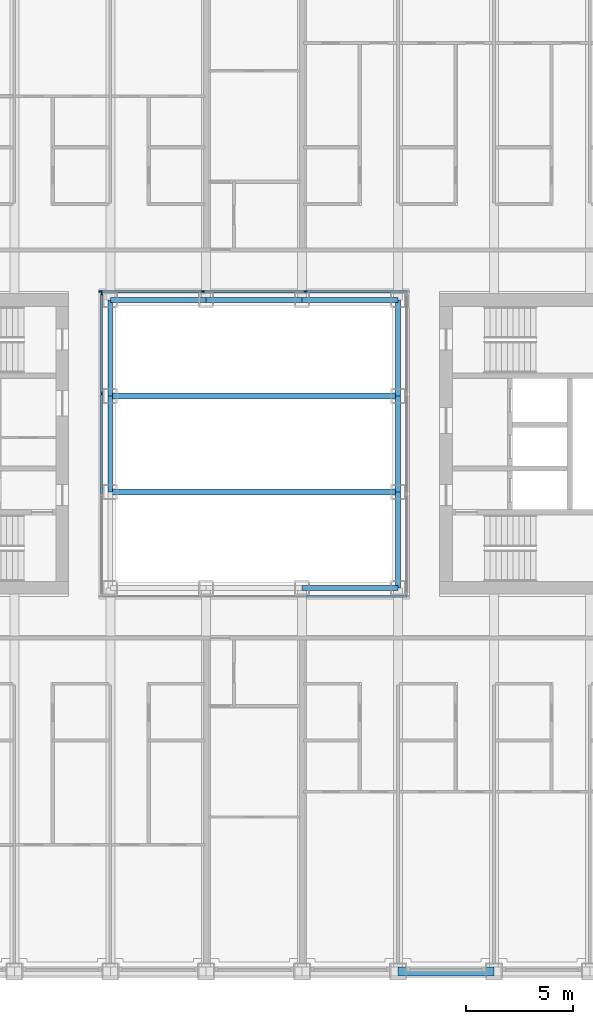
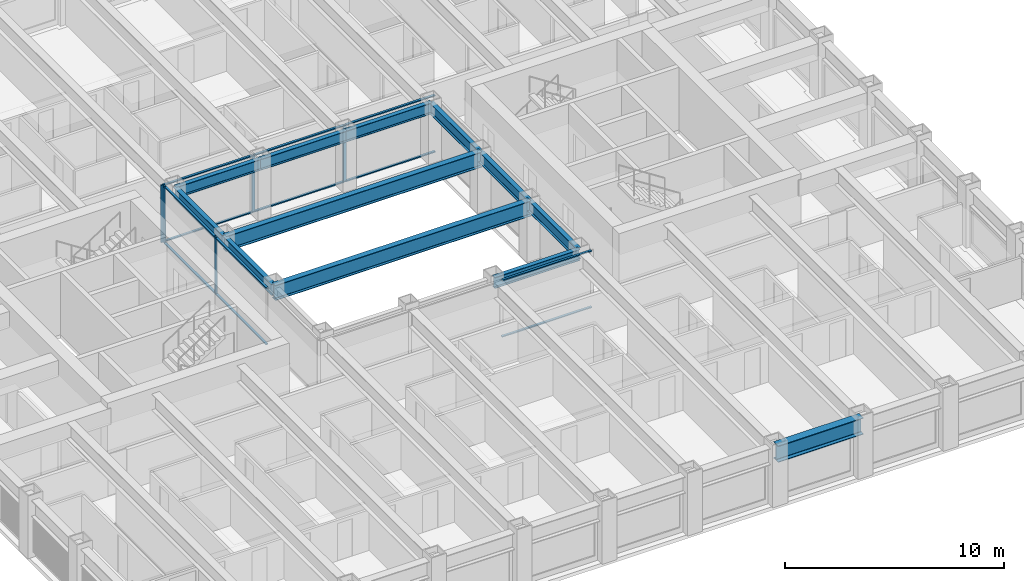
# One storey, part 4 of 21: 17 members, 12 beams, 3 elements without a shape of their own.
"""IFC4 building model written with IfcOpenShell, lengths in metres."""

from ifc_helpers import new_model, si_unit, direction, frame, origin, origin_2d, place, context, subcontext, project, spatial, rectangle, i_section, extrude, material, material_profile, profile_set, type_object, element, aggregate, save


model = new_model("IFC4")

# Units and contexts
model_context = context("Model", 3, precision=1e-05, world=origin(), true_north=direction((0.0, 1.0)))
body_context = subcontext(model_context, "Body", "Model", "MODEL_VIEW")
ifc_project = project(units=[si_unit("LENGTHUNIT", "METRE"), si_unit("AREAUNIT", "SQUARE_METRE"), si_unit("VOLUMEUNIT", "CUBIC_METRE"), si_unit("PLANEANGLEUNIT", "RADIAN"), si_unit("MASSUNIT", "GRAM", prefix="KILO")], contexts=[model_context])

# Site, building, storey
site_placement = place(None, origin())
site = spatial("IfcSite", under=ifc_project, at=site_placement, CompositionType="ELEMENT")
building_placement = place(site_placement, origin())
building = spatial("IfcBuilding", under=site, at=building_placement, Name="Msasa Ring Tower", CompositionType="ELEMENT")
storey_placement = place(building_placement, frame((0.0, 0.0, 103.5)))
storey = spatial("IfcBuildingStorey", under=building, at=storey_placement, Name="L27", CompositionType="ELEMENT", Elevation=103.5)

# Beams
ifc_material_1 = material(Name="Steel S355", Category="steel")
ifc_material_profile_1 = material_profile(ifc_material_1, i_section(OverallWidth=0.293701171875, OverallDepth=0.850830078125, WebThickness=0.01611328125, FlangeThickness=0.02685546875, FilletRadius=0.017822265625, at=origin_2d()), Name="UB 838x292x226")
ifc_profile_set_1 = profile_set([ifc_material_profile_1], Name="Steel S355")
beam_type_1 = type_object("IfcBeamType", Name="BG1 UB 838x292x226", PredefinedType="BEAM", material=ifc_profile_set_1)
for number, where, z_axis, x_axis, name in (
    (1, (-6.75, -2.25, 2.774658203125), (1.0, 0.0, 0.0), (0.0, 1.0, 0.0), "Well bridge girder -2.25 under L28"),
    (2, (-6.75, 2.25, 2.774658203125), (1.0, 0.0, 0.0), (0.0, 1.0, 0.0), "Well bridge girder +2.25 under L28"),
):
    element("IfcBeam", number, at=place(storey_placement, frame(where, z_axis=z_axis, x_axis=x_axis)), inside=storey, type_object=beam_type_1, Name=name, PredefinedType="BEAM", context=body_context, shape_type="SweptSolid", body=[
        extrude(i_section(OverallWidth=0.293701171875, OverallDepth=0.850830078125, WebThickness=0.01611328125, FlangeThickness=0.02685546875, FilletRadius=0.017822265625, at=origin_2d()), origin(), (0.0, 0.0, 1.0), 13.5),
    ])

# Curtain wall, members
ifc_material_2 = material(Name="Aluminium curtain wall with clear glass", Category="aluminium")
curtain_wall_type = type_object("IfcCurtainWallType", Name="CW-W LIGHT WELL CURTAIN WALL", PredefinedType="NOTDEFINED", material=ifc_material_2)
curtain_wall_1_placement = place(storey_placement, origin())
curtain_wall_1 = element("IfcCurtainWall", 3, at=curtain_wall_1_placement, inside=storey, type_object=curtain_wall_type, Name="Light well curtain wall N L27", PredefinedType="NOTDEFINED")
ifc_material_3 = material(Name="Aluminium mullion", Category="aluminium")
ifc_material_profile_2 = material_profile(ifc_material_3, rectangle(XDim=0.06005859375, YDim=0.159912109375, at=origin_2d()), Name="AL 60x160")
ifc_profile_set_2 = profile_set([ifc_material_profile_2], Name="Aluminium mullion")
member_type_1 = type_object("IfcMemberType", Name="CW-W MULLION 60x160", PredefinedType="MULLION", material=ifc_profile_set_2)
member_1_placement = place(storey_placement, frame((-7.199951171875, 7.14990234375, 0.0), z_axis=(0.0, 0.0, 1.0), x_axis=(0.0, 1.0, 0.0)))
member_1 = element("IfcMember", 4, at=member_1_placement, type_object=member_type_1, Name="CW-W mullion 1", PredefinedType="MULLION", context=body_context, shape_type="SweptSolid", body=[
    extrude(rectangle(XDim=0.06005859375, YDim=0.159912109375, at=origin_2d()), origin(), (0.0, 0.0, 1.0), 3.199951171875),
])
member_2_placement = place(storey_placement, frame((-2.409912109375, 7.14990234375, 0.0), z_axis=(0.0, 0.0, 1.0), x_axis=(0.0, 1.0, 0.0)))
member_2 = element("IfcMember", 5, at=member_2_placement, type_object=member_type_1, Name="CW-W mullion 2", PredefinedType="MULLION", context=body_context, shape_type="SweptSolid", body=[
    extrude(rectangle(XDim=0.06005859375, YDim=0.159912109375, at=origin_2d()), origin(), (0.0, 0.0, 1.0), 3.199951171875),
])
member_3_placement = place(storey_placement, frame((2.409912109375, 7.14990234375, 0.0), z_axis=(0.0, 0.0, 1.0), x_axis=(0.0, 1.0, 0.0)))
member_3 = element("IfcMember", 6, at=member_3_placement, type_object=member_type_1, Name="CW-W mullion 3", PredefinedType="MULLION", context=body_context, shape_type="SweptSolid", body=[
    extrude(rectangle(XDim=0.06005859375, YDim=0.159912109375, at=origin_2d()), origin(), (0.0, 0.0, 1.0), 3.199951171875),
])

curtain_wall_2_placement = place(storey_placement, origin())
curtain_wall_2 = element("IfcCurtainWall", 7, at=curtain_wall_2_placement, inside=storey, type_object=curtain_wall_type, Name="Light well curtain wall W L27", PredefinedType="NOTDEFINED")
member_4_placement = place(storey_placement, frame((-7.14990234375, 2.356689453125, 0.0), z_axis=(0.0, 0.0, 1.0), x_axis=(-1.0, 0.0, 0.0)))
member_4 = element("IfcMember", 8, at=member_4_placement, type_object=member_type_1, Name="CW-W mullion 3", PredefinedType="MULLION", context=body_context, shape_type="SweptSolid", body=[
    extrude(rectangle(XDim=0.06005859375, YDim=0.159912109375, at=origin_2d()), origin(), (0.0, 0.0, 1.0), 3.199951171875),
])
member_5_placement = place(storey_placement, frame((-7.14990234375, 7.0400390625, 0.0), z_axis=(0.0, 0.0, 1.0), x_axis=(-1.0, 0.0, 0.0)))
member_5 = element("IfcMember", 9, at=member_5_placement, type_object=member_type_1, Name="CW-W mullion 4", PredefinedType="MULLION", context=body_context, shape_type="SweptSolid", body=[
    extrude(rectangle(XDim=0.06005859375, YDim=0.159912109375, at=origin_2d()), origin(), (0.0, 0.0, 1.0), 3.199951171875),
])

# Member
ifc_material_4 = material(Name="Aluminium transom", Category="aluminium")
ifc_material_profile_3 = material_profile(ifc_material_4, rectangle(XDim=0.1201171875, YDim=0.06005859375, at=origin_2d()), Name="AL 60x120")
ifc_profile_set_3 = profile_set([ifc_material_profile_3], Name="Aluminium transom")
member_type_2 = type_object("IfcMemberType", Name="CW-W TRANSOM 60x120", PredefinedType="USERDEFINED", material=ifc_profile_set_3)
member_6_placement = place(storey_placement, frame((-7.169921875, 7.14990234375, 0.030029296875), z_axis=(1.0, 0.0, 0.0), x_axis=(0.0, 1.0, 0.0)))
member_6 = element("IfcMember", 10, at=member_6_placement, type_object=member_type_2, Name="CW-W transom 1.1", ObjectType="TRANSOM", PredefinedType="USERDEFINED", context=body_context, shape_type="SweptSolid", body=[
    extrude(rectangle(XDim=0.1201171875, YDim=0.06005859375, at=origin_2d()), origin(), (0.0, 0.0, 1.0), 4.72998046875),
])

member_7_placement = place(storey_placement, frame((-7.169921875, 7.14990234375, 3.169921875), z_axis=(1.0, 0.0, 0.0), x_axis=(0.0, 1.0, 0.0)))
member_7 = element("IfcMember", 11, at=member_7_placement, type_object=member_type_2, Name="CW-W transom 1.2", ObjectType="TRANSOM", PredefinedType="USERDEFINED", context=body_context, shape_type="SweptSolid", body=[
    extrude(rectangle(XDim=0.1201171875, YDim=0.06005859375, at=origin_2d()), origin(), (0.0, 0.0, 1.0), 4.72998046875),
])

member_8_placement = place(storey_placement, frame((-2.3798828125, 7.14990234375, 0.030029296875), z_axis=(1.0, 0.0, 0.0), x_axis=(0.0, 1.0, 0.0)))
member_8 = element("IfcMember", 12, at=member_8_placement, type_object=member_type_2, Name="CW-W transom 2.1", ObjectType="TRANSOM", PredefinedType="USERDEFINED", context=body_context, shape_type="SweptSolid", body=[
    extrude(rectangle(XDim=0.1201171875, YDim=0.06005859375, at=origin_2d()), origin(), (0.0, 0.0, 1.0), 4.759765625),
])

member_9_placement = place(storey_placement, frame((-2.3798828125, 7.14990234375, 3.169921875), z_axis=(1.0, 0.0, 0.0), x_axis=(0.0, 1.0, 0.0)))
member_9 = element("IfcMember", 13, at=member_9_placement, type_object=member_type_2, Name="CW-W transom 2.2", ObjectType="TRANSOM", PredefinedType="USERDEFINED", context=body_context, shape_type="SweptSolid", body=[
    extrude(rectangle(XDim=0.1201171875, YDim=0.06005859375, at=origin_2d()), origin(), (0.0, 0.0, 1.0), 4.759765625),
])

member_10_placement = place(storey_placement, frame((2.43994140625, 7.14990234375, 0.030029296875), z_axis=(1.0, 0.0, 0.0), x_axis=(0.0, 1.0, 0.0)))
member_10 = element("IfcMember", 14, at=member_10_placement, type_object=member_type_2, Name="CW-W transom 3.1", ObjectType="TRANSOM", PredefinedType="USERDEFINED", context=body_context, shape_type="SweptSolid", body=[
    extrude(rectangle(XDim=0.1201171875, YDim=0.06005859375, at=origin_2d()), origin(), (0.0, 0.0, 1.0), 4.72998046875),
])

member_11_placement = place(storey_placement, frame((2.43994140625, 7.14990234375, 3.169921875), z_axis=(1.0, 0.0, 0.0), x_axis=(0.0, 1.0, 0.0)))
member_11 = element("IfcMember", 15, at=member_11_placement, type_object=member_type_2, Name="CW-W transom 3.2", ObjectType="TRANSOM", PredefinedType="USERDEFINED", context=body_context, shape_type="SweptSolid", body=[
    extrude(rectangle(XDim=0.1201171875, YDim=0.06005859375, at=origin_2d()), origin(), (0.0, 0.0, 1.0), 4.72998046875),
])

aggregate(curtain_wall_1, [member_1, member_2, member_3, member_6, member_7, member_8, member_9, member_10, member_11])

# Curtain wall, members
curtain_wall_3_placement = place(storey_placement, origin())
curtain_wall_3 = element("IfcCurtainWall", 16, at=curtain_wall_3_placement, inside=storey, type_object=curtain_wall_type, Name="Light well curtain wall S L27", PredefinedType="NOTDEFINED")
member_12_placement = place(storey_placement, frame((2.43994140625, -7.14990234375, 0.030029296875), z_axis=(1.0, 0.0, 0.0), x_axis=(0.0, 1.0, 0.0)))
member_12 = element("IfcMember", 17, at=member_12_placement, type_object=member_type_2, Name="CW-W transom 3.1", ObjectType="TRANSOM", PredefinedType="USERDEFINED", context=body_context, shape_type="SweptSolid", body=[
    extrude(rectangle(XDim=0.1201171875, YDim=0.06005859375, at=origin_2d()), origin(), (0.0, 0.0, 1.0), 4.72998046875),
])
member_13_placement = place(storey_placement, frame((2.43994140625, -7.14990234375, 3.169921875), z_axis=(1.0, 0.0, 0.0), x_axis=(0.0, 1.0, 0.0)))
member_13 = element("IfcMember", 18, at=member_13_placement, type_object=member_type_2, Name="CW-W transom 3.2", ObjectType="TRANSOM", PredefinedType="USERDEFINED", context=body_context, shape_type="SweptSolid", body=[
    extrude(rectangle(XDim=0.1201171875, YDim=0.06005859375, at=origin_2d()), origin(), (0.0, 0.0, 1.0), 4.72998046875),
])
aggregate(curtain_wall_3, [member_12, member_13])

# Member
member_14_placement = place(storey_placement, frame((-7.14990234375, -2.32666015625, 0.030029296875), z_axis=(0.0, 1.0, 0.0), x_axis=(-1.0, 0.0, 0.0)))
member_14 = element("IfcMember", 19, at=member_14_placement, type_object=member_type_2, Name="CW-W transom 2.1", ObjectType="TRANSOM", PredefinedType="USERDEFINED", context=body_context, shape_type="SweptSolid", body=[
    extrude(rectangle(XDim=0.1201171875, YDim=0.06005859375, at=origin_2d()), origin(), (0.0, 0.0, 1.0), 4.6533203125),
])

member_15_placement = place(storey_placement, frame((-7.14990234375, -2.32666015625, 3.169921875), z_axis=(0.0, 1.0, 0.0), x_axis=(-1.0, 0.0, 0.0)))
member_15 = element("IfcMember", 20, at=member_15_placement, type_object=member_type_2, Name="CW-W transom 2.2", ObjectType="TRANSOM", PredefinedType="USERDEFINED", context=body_context, shape_type="SweptSolid", body=[
    extrude(rectangle(XDim=0.1201171875, YDim=0.06005859375, at=origin_2d()), origin(), (0.0, 0.0, 1.0), 4.6533203125),
])

member_16_placement = place(storey_placement, frame((-7.14990234375, 2.38671875, 0.030029296875), z_axis=(0.0, 1.0, 0.0), x_axis=(-1.0, 0.0, 0.0)))
member_16 = element("IfcMember", 21, at=member_16_placement, type_object=member_type_2, Name="CW-W transom 3.1", ObjectType="TRANSOM", PredefinedType="USERDEFINED", context=body_context, shape_type="SweptSolid", body=[
    extrude(rectangle(XDim=0.1201171875, YDim=0.06005859375, at=origin_2d()), origin(), (0.0, 0.0, 1.0), 4.623291015625),
])

member_17_placement = place(storey_placement, frame((-7.14990234375, 2.38671875, 3.169921875), z_axis=(0.0, 1.0, 0.0), x_axis=(-1.0, 0.0, 0.0)))
member_17 = element("IfcMember", 22, at=member_17_placement, type_object=member_type_2, Name="CW-W transom 3.2", ObjectType="TRANSOM", PredefinedType="USERDEFINED", context=body_context, shape_type="SweptSolid", body=[
    extrude(rectangle(XDim=0.1201171875, YDim=0.06005859375, at=origin_2d()), origin(), (0.0, 0.0, 1.0), 4.623291015625),
])

aggregate(curtain_wall_2, [member_4, member_5, member_14, member_15, member_16, member_17])

# Beams
ifc_material_5 = material(Name="Steel S355", Category="steel")
ifc_material_profile_4 = material_profile(ifc_material_5, i_section(OverallWidth=0.230224609375, OverallDepth=0.6171875, WebThickness=0.01318359375, FlangeThickness=0.022216796875, FilletRadius=0.0126953125, at=origin_2d()), Name="UB 610x229x140")
ifc_profile_set_4 = profile_set([ifc_material_profile_4], Name="Steel S355")
beam_type_2 = type_object("IfcBeamType", Name="RB1 UB 610x229x140", PredefinedType="BEAM", material=ifc_profile_set_4)
for number, where, z_axis, x_axis, name in (
    (23, (2.25, -6.75, 2.891357421875), (1.0, 0.0, 0.0), (0.0, 1.0, 0.0), "Inner ring beam IR+2.25-6.75 under L28"),
    (24, (6.75, -6.75, 2.891357421875), (0.0, 1.0, 0.0), (-1.0, 0.0, 0.0), "Inner ring beam IR+6.75-6.75 under L28"),
    (25, (6.75, -2.25, 2.891357421875), (0.0, 1.0, 0.0), (-1.0, 0.0, 0.0), "Inner ring beam IR+6.75-2.25 under L28"),
    (26, (6.75, 2.25, 2.891357421875), (0.0, 1.0, 0.0), (-1.0, 0.0, 0.0), "Inner ring beam IR+6.75+2.25 under L28"),
    (27, (6.75, 6.75, 2.891357421875), (-1.0, 0.0, 0.0), (0.0, -1.0, 0.0), "Inner ring beam IR+6.75+6.75 under L28"),
    (28, (2.25, 6.75, 2.891357421875), (-1.0, 0.0, 0.0), (0.0, -1.0, 0.0), "Inner ring beam IR+2.25+6.75 under L28"),
    (29, (-2.25, 6.75, 2.891357421875), (-1.0, 0.0, 0.0), (0.0, -1.0, 0.0), "Inner ring beam IR-2.25+6.75 under L28"),
    (30, (-6.75, 6.75, 2.891357421875), (0.0, -1.0, 0.0), (1.0, 0.0, 0.0), "Inner ring beam IR-6.75+6.75 under L28"),
    (31, (-6.75, 2.25, 2.891357421875), (0.0, -1.0, 0.0), (1.0, 0.0, 0.0), "Inner ring beam IR-6.75+2.25 under L28"),
):
    element("IfcBeam", number, at=place(storey_placement, frame(where, z_axis=z_axis, x_axis=x_axis)), inside=storey, type_object=beam_type_2, Name=name, PredefinedType="BEAM", context=body_context, shape_type="SweptSolid", body=[
        extrude(i_section(OverallWidth=0.230224609375, OverallDepth=0.6171875, WebThickness=0.01318359375, FlangeThickness=0.022216796875, FilletRadius=0.0126953125, at=origin_2d()), origin(), (0.0, 0.0, 1.0), 4.5),
    ])
ifc_material_6 = material(Name="Steel S355", Category="steel")
ifc_material_profile_5 = material_profile(ifc_material_6, i_section(OverallWidth=0.42041015625, OverallDepth=0.9208984375, WebThickness=0.021484375, FlangeThickness=0.03662109375, FilletRadius=0.024169921875, at=origin_2d()), Name="UB 914x419x388")
ifc_profile_set_5 = profile_set([ifc_material_profile_5], Name="Steel S355")
beam_type_3 = type_object("IfcBeamType", Name="SB1 UB 914x419x388", PredefinedType="SPANDREL", material=ifc_profile_set_5)
beam_placement = place(storey_placement, frame((6.75, -24.75, 2.739501953125), z_axis=(1.0, 0.0, 0.0), x_axis=(0.0, 1.0, 0.0)))
element("IfcBeam", 32, at=beam_placement, inside=storey, type_object=beam_type_3, Name="Spandrel S+6.75 to S+11.25 under L28", PredefinedType="SPANDREL", context=body_context, shape_type="SweptSolid", body=[
    extrude(i_section(OverallWidth=0.42041015625, OverallDepth=0.9208984375, WebThickness=0.021484375, FlangeThickness=0.03662109375, FilletRadius=0.024169921875, at=origin_2d()), origin(), (0.0, 0.0, 1.0), 4.5),
])

save(model, "model.ifc")
